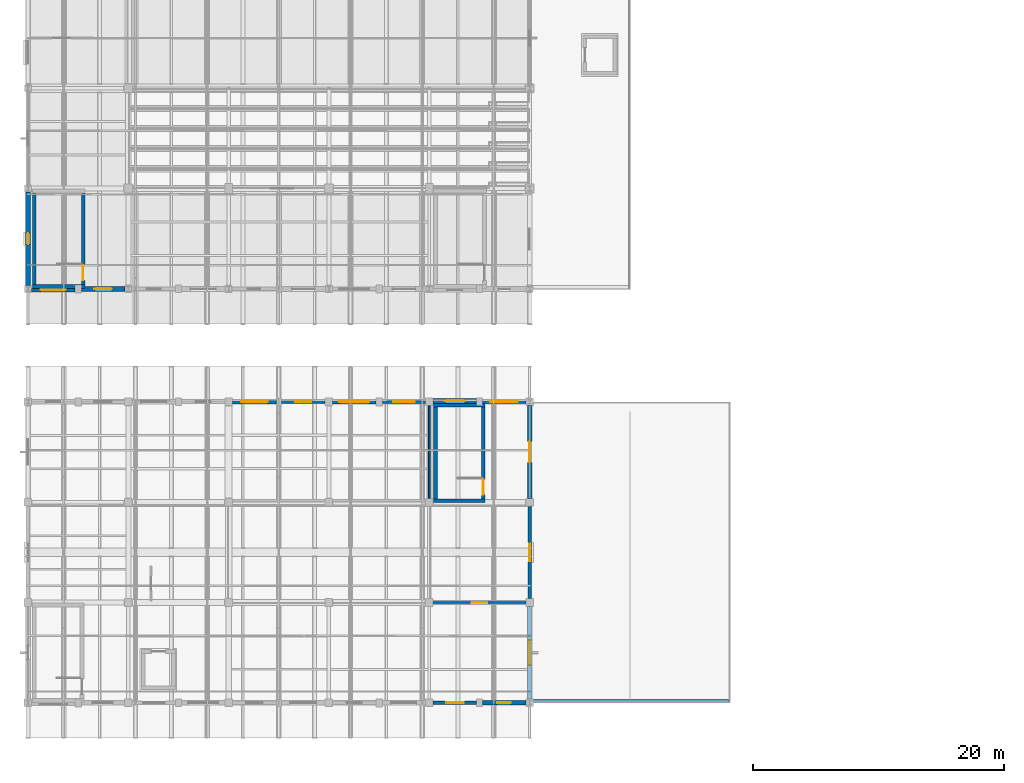
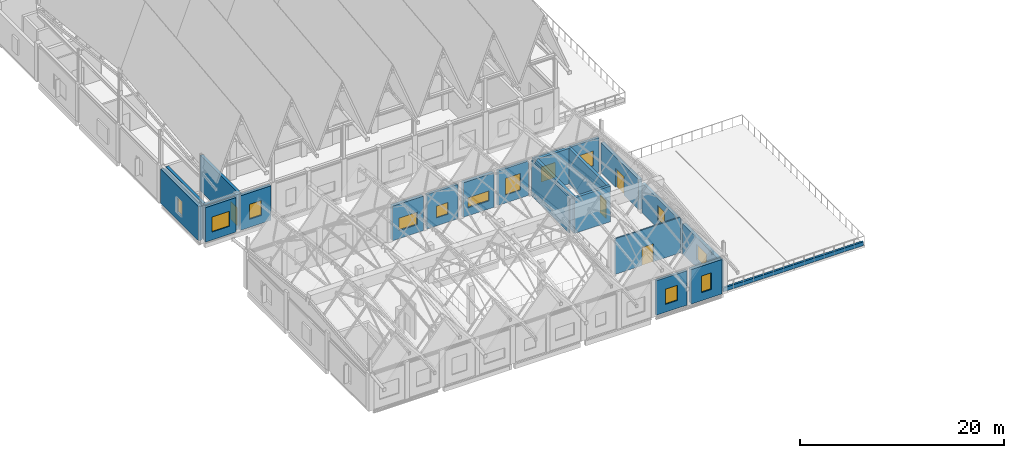
# One storey, part 41 of 77: 24 walls, 13 windows, 4 doors, 17 openings.
"""IFC4 building model written with IfcOpenShell, lengths in metres."""

from ifc_helpers import new_model, si_unit, direction, frame, frame_2d, origin, place, context, subcontext, project, spatial, rectangle, extrude, material, layer, layer_set, type_object, element, fill, save


model = new_model("IFC4")

# Units and contexts
model_context = context("Model", 3, precision=1e-05, world=origin(), true_north=direction((0.0, 1.0)))
body_context = subcontext(model_context, "Body", "Model", "MODEL_VIEW")
ifc_project = project(units=[si_unit("LENGTHUNIT", "METRE"), si_unit("AREAUNIT", "SQUARE_METRE"), si_unit("VOLUMEUNIT", "CUBIC_METRE"), si_unit("PLANEANGLEUNIT", "RADIAN"), si_unit("MASSUNIT", "GRAM", prefix="KILO")], contexts=[model_context])

# Site, building, storey
site_placement = place(None, origin())
site = spatial("IfcSite", under=ifc_project, at=site_placement, CompositionType="ELEMENT")
building_placement = place(site_placement, origin())
building = spatial("IfcBuilding", under=site, at=building_placement, Name="Luwemba Playhouse", CompositionType="ELEMENT")
storey_placement = place(building_placement, frame((0.0, 0.0, 9.300048828125)))
storey = spatial("IfcBuildingStorey", under=building, at=storey_placement, Name="L02", CompositionType="ELEMENT", Elevation=9.300048828125)

# Wall, opening, window
ifc_material_1 = material(Name="Clay facing brick obra vista masonry", Category="masonry")
ifc_layer_1 = layer(ifc_material_1, 0.3798828125)
ifc_layer_set_1 = layer_set([ifc_layer_1], Name="Clay facing brick obra vista masonry")
wall_type_1 = type_object("IfcWallType", Name="WAL-BRK-380", PredefinedType="SOLIDWALL", material=ifc_layer_set_1)
wall_1_placement = place(storey_placement, frame((4.0, 36.27490234375, 0.0), z_axis=(0.0, 0.0, 1.0), x_axis=(0.0, 1.0, 0.0)))
wall_1 = element("IfcWall", 1, at=wall_1_placement, inside=storey, type_object=wall_type_1, Name="L02 V1 exterior facade wall 0270", PredefinedType="SOLIDWALL", context=body_context, shape_type="SweptSolid", body=[
    extrude(rectangle(XDim=7.4501953125, YDim=0.3798828125, at=frame_2d((3.72509765625, 0.0))), origin(), (0.0, 0.0, 1.0), 4.119873046875),
])
opening_1_placement = place(wall_1_placement, frame((3.27490234375, 0.0, 0.949951171875)))
opening_1 = element("IfcOpeningElement", 2, at=opening_1_placement, cuts=wall_1, Name="Opening WN-18", PredefinedType="OPENING", context=body_context, shape_type="SweptSolid", body=[
    extrude(rectangle(XDim=0.89990234375, YDim=1.800048828125, at=frame_2d((0.449951171875, 0.89990234375))), frame((0.0, 0.199951171875, 0.0), z_axis=(0.0, -1.0, 0.0), x_axis=(1.0, 0.0, 0.0)), (0.0, 0.0, 1.0), 0.39990234375),
])
ifc_material_2 = material(Name="Solar-control double glazing in aluminium frame", Category="aluminium")
window_type_1 = type_object("IfcWindowType", Name="WIN-WN-18", PartitioningType="SINGLE_PANEL", PredefinedType="WINDOW", material=ifc_material_2)
window_1_placement = place(opening_1_placement, origin())
window_1 = element("IfcWindow", 3, at=window_1_placement, inside=storey, type_object=window_type_1, Name="L02 V1 scheduled window 0217", OverallHeight=1.800048828125, OverallWidth=0.89990234375, PartitioningType="SINGLE_PANEL", PredefinedType="WINDOW", context=body_context, shape_type="SweptSolid", body=[
    extrude(rectangle(XDim=0.89990234375, YDim=1.800048828125, at=frame_2d((0.449951171875, 0.89990234375))), frame((0.0, 0.030029296875, 0.0), z_axis=(0.0, -1.0, 0.0), x_axis=(1.0, 0.0, 0.0)), (0.0, 0.0, 1.0), 0.06005859375),
])
fill(opening_1, window_1)

wall_2_placement = place(storey_placement, frame((11.72509765625, 36.0, 0.0), z_axis=(0.0, 0.0, 1.0), x_axis=(-1.0, 0.0, 0.0)))
wall_2 = element("IfcWall", 4, at=wall_2_placement, inside=storey, type_object=wall_type_1, Name="L02 V1 exterior facade wall 0285", PredefinedType="SOLIDWALL", context=body_context, shape_type="SweptSolid", body=[
    extrude(rectangle(XDim=3.47509765625, YDim=0.3798828125, at=frame_2d((1.737548828125, 0.0))), origin(), (0.0, 0.0, 1.0), 4.119873046875),
])
opening_2_placement = place(wall_2_placement, frame((1.03759765625, 0.0, 0.949951171875)))
opening_2 = element("IfcOpeningElement", 5, at=opening_2_placement, cuts=wall_2, Name="Opening WN-02", PredefinedType="OPENING", context=body_context, shape_type="SweptSolid", body=[
    extrude(rectangle(XDim=1.39990234375, YDim=1.800048828125, at=frame_2d((0.699951171875, 0.89990234375))), frame((0.0, 0.199951171875, 0.0), z_axis=(0.0, -1.0, 0.0), x_axis=(1.0, 0.0, 0.0)), (0.0, 0.0, 1.0), 0.39990234375),
])
window_type_2 = type_object("IfcWindowType", Name="WIN-WN-02", PartitioningType="DOUBLE_PANEL_VERTICAL", PredefinedType="WINDOW", material=ifc_material_2)
window_2_placement = place(opening_2_placement, origin())
window_2 = element("IfcWindow", 6, at=window_2_placement, inside=storey, type_object=window_type_2, Name="L02 V1 scheduled window 0231", OverallHeight=1.800048828125, OverallWidth=1.39990234375, PartitioningType="DOUBLE_PANEL_VERTICAL", PredefinedType="WINDOW", context=body_context, shape_type="SweptSolid", body=[
    extrude(rectangle(XDim=1.39990234375, YDim=1.800048828125, at=frame_2d((0.699951171875, 0.89990234375))), frame((0.0, 0.030029296875, 0.0), z_axis=(0.0, -1.0, 0.0), x_axis=(1.0, 0.0, 0.0)), (0.0, 0.0, 1.0), 0.06005859375),
])
fill(opening_2, window_2)

wall_3_placement = place(storey_placement, frame((20.300048828125, 27.0, 0.0), z_axis=(0.0, 0.0, 1.0), x_axis=(1.0, 0.0, 0.0)))
wall_3 = element("IfcWall", 7, at=wall_3_placement, inside=storey, type_object=wall_type_1, Name="L02 V5W exterior facade wall 0358", PredefinedType="SOLIDWALL", context=body_context, shape_type="SweptSolid", body=[
    extrude(rectangle(XDim=3.5, YDim=0.3798828125, at=frame_2d((1.75, 0.0))), origin(), (0.0, 0.0, 1.0), 4.125),
])
opening_3_placement = place(wall_3_placement, frame((0.699951171875, 0.0, 0.949951171875)))
opening_3 = element("IfcOpeningElement", 8, at=opening_3_placement, cuts=wall_3, Name="Opening WN-11", PredefinedType="OPENING", context=body_context, shape_type="SweptSolid", body=[
    extrude(rectangle(XDim=2.10009765625, YDim=1.5, at=frame_2d((1.050048828125, 0.75))), frame((0.0, 0.199951171875, 0.0), z_axis=(0.0, -1.0, 0.0), x_axis=(1.0, 0.0, 0.0)), (0.0, 0.0, 1.0), 0.39990234375),
])
window_type_3 = type_object("IfcWindowType", Name="WIN-WN-11", PartitioningType="TRIPLE_PANEL_VERTICAL", PredefinedType="WINDOW", material=ifc_material_2)
window_3_placement = place(opening_3_placement, origin())
window_3 = element("IfcWindow", 9, at=window_3_placement, inside=storey, type_object=window_type_3, Name="L02 V5W scheduled window 0303", OverallHeight=1.5, OverallWidth=2.10009765625, PartitioningType="TRIPLE_PANEL_VERTICAL", PredefinedType="WINDOW", context=body_context, shape_type="SweptSolid", body=[
    extrude(rectangle(XDim=2.10009765625, YDim=1.5, at=frame_2d((1.050048828125, 0.75))), frame((0.0, 0.030029296875, 0.0), z_axis=(0.0, -1.0, 0.0), x_axis=(1.0, 0.0, 0.0)), (0.0, 0.0, 1.0), 0.06005859375),
])
fill(opening_3, window_3)

wall_4_placement = place(storey_placement, frame((28.300048828125, 27.0, 0.0), z_axis=(0.0, 0.0, 1.0), x_axis=(1.0, 0.0, 0.0)))
wall_4 = element("IfcWall", 10, at=wall_4_placement, inside=storey, type_object=wall_type_1, Name="L02 V5W exterior facade wall 0360", PredefinedType="SOLIDWALL", context=body_context, shape_type="SweptSolid", body=[
    extrude(rectangle(XDim=3.449951171875, YDim=0.3798828125, at=frame_2d((1.72509765625, 0.0))), origin(), (0.0, 0.0, 1.0), 4.125),
])
opening_4_placement = place(wall_4_placement, frame((0.52490234375, 0.0, 0.949951171875)))
opening_4 = element("IfcOpeningElement", 11, at=opening_4_placement, cuts=wall_4, Name="Opening WN-17", PredefinedType="OPENING", context=body_context, shape_type="SweptSolid", body=[
    extrude(rectangle(XDim=2.39990234375, YDim=1.199951171875, at=frame_2d((1.199951171875, 0.60009765625))), frame((0.0, 0.199951171875, 0.0), z_axis=(0.0, -1.0, 0.0), x_axis=(1.0, 0.0, 0.0)), (0.0, 0.0, 1.0), 0.39990234375),
])
window_type_4 = type_object("IfcWindowType", Name="WIN-WN-17", PartitioningType="TRIPLE_PANEL_HORIZONTAL", PredefinedType="WINDOW", material=ifc_material_2)
window_4_placement = place(opening_4_placement, origin())
window_4 = element("IfcWindow", 12, at=window_4_placement, inside=storey, type_object=window_type_4, Name="L02 V5W scheduled window 0305", OverallHeight=1.199951171875, OverallWidth=2.39990234375, PartitioningType="TRIPLE_PANEL_HORIZONTAL", PredefinedType="WINDOW", context=body_context, shape_type="SweptSolid", body=[
    extrude(rectangle(XDim=2.39990234375, YDim=1.199951171875, at=frame_2d((1.199951171875, 0.60009765625))), frame((0.0, 0.030029296875, 0.0), z_axis=(0.0, -1.0, 0.0), x_axis=(1.0, 0.0, 0.0)), (0.0, 0.0, 1.0), 0.06005859375),
])
fill(opening_4, window_4)

wall_5_placement = place(storey_placement, frame((36.300048828125, 27.06005859375, 0.0), z_axis=(0.0, 0.0, 1.0), x_axis=(1.0, 0.0, 0.0)))
wall_5 = element("IfcWall", 13, at=wall_5_placement, inside=storey, type_object=wall_type_1, Name="L02 V5W exterior facade wall 0362", PredefinedType="SOLIDWALL", context=body_context, shape_type="SweptSolid", body=[
    extrude(rectangle(XDim=3.474853515625, YDim=0.3798828125, at=frame_2d((1.7373046875, 0.0))), origin(), (0.0, 0.0, 1.0), 4.125),
])
opening_5_placement = place(wall_5_placement, frame((0.9375, 0.0, 0.949951171875)))
opening_5 = element("IfcOpeningElement", 14, at=opening_5_placement, cuts=wall_5, Name="Opening WN-03", PredefinedType="OPENING", context=body_context, shape_type="SweptSolid", body=[
    extrude(rectangle(XDim=1.60009765625, YDim=1.800048828125, at=frame_2d((0.800048828125, 0.89990234375))), frame((0.0, 0.199951171875, 0.0), z_axis=(0.0, -1.0, 0.0), x_axis=(1.0, 0.0, 0.0)), (0.0, 0.0, 1.0), 0.39990234375),
])
window_type_5 = type_object("IfcWindowType", Name="WIN-WN-03", PartitioningType="DOUBLE_PANEL_VERTICAL", PredefinedType="WINDOW", material=ifc_material_2)
window_5_placement = place(opening_5_placement, origin())
window_5 = element("IfcWindow", 15, at=window_5_placement, inside=storey, type_object=window_type_5, Name="L02 V5W scheduled window 0307", OverallHeight=1.800048828125, OverallWidth=1.60009765625, PartitioningType="DOUBLE_PANEL_VERTICAL", PredefinedType="WINDOW", context=body_context, shape_type="SweptSolid", body=[
    extrude(rectangle(XDim=1.60009765625, YDim=1.800048828125, at=frame_2d((0.800048828125, 0.89990234375))), frame((0.0, 0.030029296875, 0.0), z_axis=(0.0, -1.0, 0.0), x_axis=(1.0, 0.0, 0.0)), (0.0, 0.0, 1.0), 0.06005859375),
])
fill(opening_5, window_5)

# Wall, opening, door
wall_6_placement = place(storey_placement, frame((44.0, 26.699951171875, 0.0), z_axis=(0.0, 0.0, 1.0), x_axis=(0.0, -1.0, 0.0)))
wall_6 = element("IfcWall", 16, at=wall_6_placement, inside=storey, type_object=wall_type_1, Name="L02 V5W exterior facade wall 0364", PredefinedType="SOLIDWALL", context=body_context, shape_type="SweptSolid", body=[
    extrude(rectangle(XDim=7.39990234375, YDim=0.3798828125, at=frame_2d((3.699951171875, 0.0))), origin(), (0.0, 0.0, 1.0), 3.5849609375),
])
opening_6_placement = place(wall_6_placement, frame((2.875, 0.0, 0.0)))
opening_6 = element("IfcOpeningElement", 17, at=opening_6_placement, cuts=wall_6, Name="Opening D-TR1", PredefinedType="OPENING", context=body_context, shape_type="SweptSolid", body=[
    extrude(rectangle(XDim=1.64990234375, YDim=2.25, at=frame_2d((0.824951171875, 1.125))), frame((0.0, 0.199951171875, 0.0), z_axis=(0.0, -1.0, 0.0), x_axis=(1.0, 0.0, 0.0)), (0.0, 0.0, 1.0), 0.39990234375),
])
ifc_material_3 = material(Name="Architectural bronze-anodised aluminium and glazed leaf", Category="aluminium")
door_type_1 = type_object("IfcDoorType", Name="DR-TER-165", OperationType="NOTDEFINED", PredefinedType="DOOR", material=ifc_material_3)
door_1_placement = place(opening_6_placement, origin())
door_1 = element("IfcDoor", 18, at=door_1_placement, inside=storey, type_object=door_type_1, Name="L02 TER-V5W-L02 terrace entrance door", OperationType="DOUBLE_DOOR_SINGLE_SWING", OverallHeight=2.25, OverallWidth=1.64990234375, PredefinedType="DOOR", context=body_context, shape_type="SweptSolid", body=[
    extrude(rectangle(XDim=1.64990234375, YDim=2.25, at=frame_2d((0.824951171875, 1.125))), frame((0.0, 0.02490234375, 0.0), z_axis=(0.0, -1.0, 0.0), x_axis=(1.0, 0.0, 0.0)), (0.0, 0.0, 1.0), 0.050048828125),
])
fill(opening_6, door_1)

# Wall, opening, window
wall_7_placement = place(storey_placement, frame((44.0, 10.699951171875, 0.0), z_axis=(0.0, 0.0, 1.0), x_axis=(0.0, -1.0, 0.0)))
wall_7 = element("IfcWall", 19, at=wall_7_placement, inside=storey, type_object=wall_type_1, Name="L02 V5W exterior facade wall 0366", PredefinedType="SOLIDWALL", context=body_context, shape_type="SweptSolid", body=[
    extrude(rectangle(XDim=7.39990234375, YDim=0.3798828125, at=frame_2d((3.699951171875, 0.0))), origin(), (0.0, 0.0, 1.0), 3.5849609375),
])
opening_7_placement = place(wall_7_placement, frame((2.699951171875, 0.0, 0.949951171875)))
opening_7 = element("IfcOpeningElement", 20, at=opening_7_placement, cuts=wall_7, Name="Opening WN-05", PredefinedType="OPENING", context=body_context, shape_type="SweptSolid", body=[
    extrude(rectangle(XDim=2.0, YDim=1.800048828125, at=frame_2d((1.0, 0.89990234375))), frame((0.0, 0.199951171875, 0.0), z_axis=(0.0, -1.0, 0.0), x_axis=(1.0, 0.0, 0.0)), (0.0, 0.0, 1.0), 0.39990234375),
])
window_type_6 = type_object("IfcWindowType", Name="WIN-WN-05", PartitioningType="TRIPLE_PANEL_VERTICAL", PredefinedType="WINDOW", material=ifc_material_2)
window_6_placement = place(opening_7_placement, origin())
window_6 = element("IfcWindow", 21, at=window_6_placement, inside=storey, type_object=window_type_6, Name="L02 V5W scheduled window 0310", OverallHeight=1.800048828125, OverallWidth=2.0, PartitioningType="TRIPLE_PANEL_VERTICAL", PredefinedType="WINDOW", context=body_context, shape_type="SweptSolid", body=[
    extrude(rectangle(XDim=2.0, YDim=1.800048828125, at=frame_2d((1.0, 0.89990234375))), frame((0.0, 0.030029296875, 0.0), z_axis=(0.0, -1.0, 0.0), x_axis=(1.0, 0.0, 0.0)), (0.0, 0.0, 1.0), 0.06005859375),
])
fill(opening_7, window_6)

wall_8_placement = place(storey_placement, frame((43.699951171875, 3.0, 0.0), z_axis=(0.0, 0.0, 1.0), x_axis=(-1.0, 0.0, 0.0)))
wall_8 = element("IfcWall", 22, at=wall_8_placement, inside=storey, type_object=wall_type_1, Name="L02 V5W exterior facade wall 0367", PredefinedType="SOLIDWALL", context=body_context, shape_type="SweptSolid", body=[
    extrude(rectangle(XDim=3.474853515625, YDim=0.3798828125, at=frame_2d((1.7373046875, 0.0))), origin(), (0.0, 0.0, 1.0), 4.125),
])
opening_8_placement = place(wall_8_placement, frame((1.1875, 0.0, 0.949951171875)))
opening_8 = element("IfcOpeningElement", 23, at=opening_8_placement, cuts=wall_8, Name="Opening WN-19", PredefinedType="OPENING", context=body_context, shape_type="SweptSolid", body=[
    extrude(rectangle(XDim=1.10009765625, YDim=2.0, at=frame_2d((0.550048828125, 1.0))), frame((0.0, 0.199951171875, 0.0), z_axis=(0.0, -1.0, 0.0), x_axis=(1.0, 0.0, 0.0)), (0.0, 0.0, 1.0), 0.39990234375),
])
window_type_7 = type_object("IfcWindowType", Name="WIN-WN-19", PartitioningType="SINGLE_PANEL", PredefinedType="WINDOW", material=ifc_material_2)
window_7_placement = place(opening_8_placement, origin())
window_7 = element("IfcWindow", 24, at=window_7_placement, inside=storey, type_object=window_type_7, Name="L02 V5W scheduled window 0311", OverallHeight=2.0, OverallWidth=1.10009765625, PartitioningType="SINGLE_PANEL", PredefinedType="WINDOW", context=body_context, shape_type="SweptSolid", body=[
    extrude(rectangle(XDim=1.10009765625, YDim=2.0, at=frame_2d((0.550048828125, 1.0))), frame((0.0, 0.030029296875, 0.0), z_axis=(0.0, -1.0, 0.0), x_axis=(1.0, 0.0, 0.0)), (0.0, 0.0, 1.0), 0.06005859375),
])
fill(opening_8, window_7)

# Walls
ifc_material_4 = material(Name="Concrete C40/50", Category="concrete")
ifc_layer_2 = layer(ifc_material_4, 0.300048828125)
ifc_layer_set_2 = layer_set([ifc_layer_2], Name="Concrete C40/50")
wall_type_2 = type_object("IfcWallType", Name="WAL-CORE-300", PredefinedType="SHEAR", material=ifc_layer_set_2)
wall_9_placement = place(storey_placement, frame((4.35009765625, 36.18994140625, 0.0), z_axis=(0.0, 0.0, 1.0), x_axis=(1.0, 0.0, 0.0)))
element("IfcWall", 25, at=wall_9_placement, inside=storey, type_object=wall_type_2, Name="L02 ST-01 stair core wall S", PredefinedType="SHEAR", context=body_context, shape_type="SweptSolid", body=[
    extrude(rectangle(XDim=4.199951171875, YDim=0.300048828125, at=frame_2d((2.10009765625, 0.0))), origin(), (0.0, 0.0, 1.0), 4.25),
])
wall_10_placement = place(storey_placement, frame((4.5, 36.340087890625, 0.0), z_axis=(0.0, 0.0, 1.0), x_axis=(0.0, 1.0, 0.0)))
element("IfcWall", 26, at=wall_10_placement, inside=storey, type_object=wall_type_2, Name="L02 ST-01 stair core wall W", PredefinedType="SHEAR", context=body_context, shape_type="SweptSolid", body=[
    extrude(rectangle(XDim=7.31982421875, YDim=0.300048828125, at=frame_2d((3.659912109375, 0.0))), origin(), (0.0, 0.0, 1.0), 4.25),
])

# Wall, opening, door
wall_11_placement = place(storey_placement, frame((8.39990234375, 36.340087890625, 0.0), z_axis=(0.0, 0.0, 1.0), x_axis=(0.0, 1.0, 0.0)))
wall_11 = element("IfcWall", 27, at=wall_11_placement, inside=storey, type_object=wall_type_2, Name="L02 ST-01 stair core wall E", PredefinedType="SHEAR", context=body_context, shape_type="SweptSolid", body=[
    extrude(rectangle(XDim=7.31982421875, YDim=0.300048828125, at=frame_2d((3.659912109375, 0.0))), origin(), (0.0, 0.0, 1.0), 4.25),
])
opening_9_placement = place(wall_11_placement, frame((0.35009765625, 0.0, 0.0)))
opening_9 = element("IfcOpeningElement", 28, at=opening_9_placement, cuts=wall_11, Name="Opening D-STAIR3", PredefinedType="OPENING", context=body_context, shape_type="SweptSolid", body=[
    extrude(rectangle(XDim=1.199951171875, YDim=2.14990234375, at=frame_2d((0.60009765625, 1.074951171875))), frame((0.0, 0.159912109375, 0.0), z_axis=(0.0, -1.0, 0.0), x_axis=(1.0, 0.0, 0.0)), (0.0, 0.0, 1.0), 0.320068359375),
])
ifc_material_5 = material(Name="Hardwood acoustic fire door leaf", Category="wood")
door_type_2 = type_object("IfcDoorType", Name="DR-STAIR-120", OperationType="NOTDEFINED", PredefinedType="DOOR", material=ifc_material_5)
door_2_placement = place(opening_9_placement, origin())
door_2 = element("IfcDoor", 29, at=door_2_placement, inside=storey, type_object=door_type_2, Name="L02 ST-01 protected stair entry door", OperationType="SINGLE_SWING_LEFT", OverallHeight=2.14990234375, OverallWidth=1.199951171875, PredefinedType="DOOR", context=body_context, shape_type="SweptSolid", body=[
    extrude(rectangle(XDim=1.199951171875, YDim=2.14990234375, at=frame_2d((0.60009765625, 1.074951171875))), frame((0.0, 0.02490234375, 0.0), z_axis=(0.0, -1.0, 0.0), x_axis=(1.0, 0.0, 0.0)), (0.0, 0.0, 1.0), 0.050048828125),
])
fill(opening_9, door_2)

# Walls
for number, where, z_axis, x_axis, name in (
    (30, (36.35009765625, 19.110107421875, 0.0), (0.0, 0.0, 1.0), (1.0, 0.0, 0.0), "L02 ST-13 stair core wall S"),
    (31, (40.449951171875, 26.72998046875, 0.0), (0.0, 0.0, 1.0), (-1.0, 0.0, 0.0), "L02 ST-13 stair core wall N"),
):
    element("IfcWall", number, at=place(storey_placement, frame(where, z_axis=z_axis, x_axis=x_axis)), inside=storey, type_object=wall_type_2, Name=name, PredefinedType="SHEAR", context=body_context, shape_type="SweptSolid", body=[
        extrude(rectangle(XDim=4.099853515625, YDim=0.300048828125, at=frame_2d((2.0498046875, 0.0))), origin(), (0.0, 0.0, 1.0), 4.25),
    ])
wall_12_placement = place(storey_placement, frame((36.5, 19.260009765625, 0.0), z_axis=(0.0, 0.0, 1.0), x_axis=(0.0, 1.0, 0.0)))
element("IfcWall", 32, at=wall_12_placement, inside=storey, type_object=wall_type_2, Name="L02 ST-13 stair core wall W", PredefinedType="SHEAR", context=body_context, shape_type="SweptSolid", body=[
    extrude(rectangle(XDim=7.320068359375, YDim=0.300048828125, at=frame_2d((3.66015625, 0.0))), origin(), (0.0, 0.0, 1.0), 4.25),
])

# Wall, opening, door
wall_13_placement = place(storey_placement, frame((40.300048828125, 19.260009765625, 0.0), z_axis=(0.0, 0.0, 1.0), x_axis=(0.0, 1.0, 0.0)))
wall_13 = element("IfcWall", 33, at=wall_13_placement, inside=storey, type_object=wall_type_2, Name="L02 ST-13 stair core wall E", PredefinedType="SHEAR", context=body_context, shape_type="SweptSolid", body=[
    extrude(rectangle(XDim=7.320068359375, YDim=0.300048828125, at=frame_2d((3.66015625, 0.0))), origin(), (0.0, 0.0, 1.0), 4.25),
])
opening_10_placement = place(wall_13_placement, frame((0.35009765625, 0.0, 0.0)))
opening_10 = element("IfcOpeningElement", 34, at=opening_10_placement, cuts=wall_13, Name="Opening D-STAIR3", PredefinedType="OPENING", context=body_context, shape_type="SweptSolid", body=[
    extrude(rectangle(XDim=1.199951171875, YDim=2.14990234375, at=frame_2d((0.60009765625, 1.074951171875))), frame((0.0, 0.159912109375, 0.0), z_axis=(0.0, -1.0, 0.0), x_axis=(1.0, 0.0, 0.0)), (0.0, 0.0, 1.0), 0.320068359375),
])
door_3_placement = place(opening_10_placement, origin())
door_3 = element("IfcDoor", 35, at=door_3_placement, inside=storey, type_object=door_type_2, Name="L02 ST-13 protected stair entry door", OperationType="SINGLE_SWING_LEFT", OverallHeight=2.14990234375, OverallWidth=1.199951171875, PredefinedType="DOOR", context=body_context, shape_type="SweptSolid", body=[
    extrude(rectangle(XDim=1.199951171875, YDim=2.14990234375, at=frame_2d((0.60009765625, 1.074951171875))), frame((0.0, 0.02490234375, 0.0), z_axis=(0.0, -1.0, 0.0), x_axis=(1.0, 0.0, 0.0)), (0.0, 0.0, 1.0), 0.050048828125),
])
fill(opening_10, door_3)

ifc_material_6 = material(Name="Acoustic gypsum stud partition", Category="gypsum")
ifc_layer_3 = layer(ifc_material_6, 0.14990234375)
ifc_layer_set_3 = layer_set([ifc_layer_3], Name="Acoustic gypsum stud partition")
wall_type_3 = type_object("IfcWallType", Name="WAL-INT-150", PredefinedType="PARTITIONING", material=ifc_layer_set_3)
wall_14_placement = place(storey_placement, frame((36.320068359375, 11.0, 0.0), z_axis=(0.0, 0.0, 1.0), x_axis=(1.0, 0.0, 0.0)))
wall_14 = element("IfcWall", 36, at=wall_14_placement, inside=storey, type_object=wall_type_3, Name="L02 V5W interior partition 0186", PredefinedType="PARTITIONING", context=body_context, shape_type="SweptSolid", body=[
    extrude(rectangle(XDim=7.35986328125, YDim=0.14990234375, at=frame_2d((3.679931640625, 0.0))), origin(), (0.0, 0.0, 1.0), 4.25),
])
opening_11_placement = place(wall_14_placement, frame((3.054931640625, 0.0, 0.0)))
opening_11 = element("IfcOpeningElement", 37, at=opening_11_placement, cuts=wall_14, Name="Opening D-IN1", PredefinedType="OPENING", context=body_context, shape_type="SweptSolid", body=[
    extrude(rectangle(XDim=1.25, YDim=2.14990234375, at=frame_2d((0.625, 1.074951171875))), frame((0.0, 0.0849609375, 0.0), z_axis=(0.0, -1.0, 0.0), x_axis=(1.0, 0.0, 0.0)), (0.0, 0.0, 1.0), 0.169921875),
])
ifc_material_7 = material(Name="Solid hardwood interior door", Category="wood")
door_type_3 = type_object("IfcDoorType", Name="DR-INT-125", OperationType="NOTDEFINED", PredefinedType="DOOR", material=ifc_material_7)
door_4_placement = place(opening_11_placement, origin())
door_4 = element("IfcDoor", 38, at=door_4_placement, inside=storey, type_object=door_type_3, Name="L02 Upper Belvedere Civic Reception Salon to Belvedere Terrace Lounge Bar door", OperationType="SINGLE_SWING_LEFT", OverallHeight=2.14990234375, OverallWidth=1.25, PredefinedType="DOOR", context=body_context, shape_type="SweptSolid", body=[
    extrude(rectangle(XDim=1.25, YDim=2.14990234375, at=frame_2d((0.625, 1.074951171875))), frame((0.0, 0.02490234375, 0.0), z_axis=(0.0, -1.0, 0.0), x_axis=(1.0, 0.0, 0.0)), (0.0, 0.0, 1.0), 0.050048828125),
])
fill(opening_11, door_4)

# Walls
wall_15_placement = place(storey_placement, frame((36.0, 19.320068359375, 0.0), z_axis=(0.0, 0.0, 1.0), x_axis=(0.0, 1.0, 0.0)))
element("IfcWall", 39, at=wall_15_placement, inside=storey, type_object=wall_type_3, Name="L02 V5W interior partition 0187", PredefinedType="PARTITIONING", context=body_context, shape_type="SweptSolid", body=[
    extrude(rectangle(XDim=7.35986328125, YDim=0.14990234375, at=frame_2d((3.679931640625, 0.0))), origin(), (0.0, 0.0, 1.0), 4.25),
])
ifc_material_8 = material(Name="Trencadis ceramic mosaic masonry", Category="masonry")
ifc_layer_4 = layer(ifc_material_8, 0.22509765625)
ifc_layer_set_4 = layer_set([ifc_layer_4], Name="Trencadis ceramic mosaic masonry")
wall_type_4 = type_object("IfcWallType", Name="WAL-PAR-225", PredefinedType="PARAPET", material=ifc_layer_set_4)
wall_16_placement = place(storey_placement, frame((44.0, 3.14990234375, 0.0), z_axis=(0.0, 0.0, 1.0), x_axis=(1.0, 0.0, 0.0)))
element("IfcWall", 40, at=wall_16_placement, inside=storey, type_object=wall_type_4, Name="Belvedere terrace south trencadis coping", PredefinedType="PARAPET", context=body_context, shape_type="SweptSolid", body=[
    extrude(rectangle(XDim=15.85009765625, YDim=0.22509765625, at=frame_2d((7.925048828125, 0.0))), origin(), (0.0, 0.0, 1.0), 0.449951171875),
])

# Wall, opening, window
ifc_material_9 = material(Name="Structural timber GL24h infill", Category="wood")
ifc_layer_5 = layer(ifc_material_9, 0.280029296875)
ifc_layer_set_5 = layer_set([ifc_layer_5], Name="Structural timber GL24h infill")
wall_type_5 = type_object("IfcWallType", Name="WAL-TIM-280", PredefinedType="SOLIDWALL", material=ifc_layer_set_5)
wall_17_placement = place(storey_placement, frame((7.75, 35.909912109375, 0.0), z_axis=(0.0, 0.0, 1.0), x_axis=(-1.0, 0.0, 0.0)))
wall_17 = element("IfcWall", 41, at=wall_17_placement, inside=storey, type_object=wall_type_5, Name="L02 V1 exterior facade wall 0286", PredefinedType="SOLIDWALL", context=body_context, shape_type="SweptSolid", body=[
    extrude(rectangle(XDim=3.47509765625, YDim=0.280029296875, at=frame_2d((1.737548828125, 0.0))), origin(), (0.0, 0.0, 1.0), 4.119873046875),
])
opening_12_placement = place(wall_17_placement, frame((0.737548828125, 0.0, 0.949951171875)))
opening_12 = element("IfcOpeningElement", 42, at=opening_12_placement, cuts=wall_17, Name="Opening WN-05", PredefinedType="OPENING", context=body_context, shape_type="SweptSolid", body=[
    extrude(rectangle(XDim=2.0, YDim=1.800048828125, at=frame_2d((1.0, 0.89990234375))), frame((0.0, 0.14990234375, 0.0), z_axis=(0.0, -1.0, 0.0), x_axis=(1.0, 0.0, 0.0)), (0.0, 0.0, 1.0), 0.300048828125),
])
window_8_placement = place(opening_12_placement, origin())
window_8 = element("IfcWindow", 43, at=window_8_placement, inside=storey, type_object=window_type_6, Name="L02 V1 scheduled window 0232", OverallHeight=1.800048828125, OverallWidth=2.0, PartitioningType="TRIPLE_PANEL_VERTICAL", PredefinedType="WINDOW", context=body_context, shape_type="SweptSolid", body=[
    extrude(rectangle(XDim=2.0, YDim=1.800048828125, at=frame_2d((1.0, 0.89990234375))), frame((0.0, 0.030029296875, 0.0), z_axis=(0.0, -1.0, 0.0), x_axis=(1.0, 0.0, 0.0)), (0.0, 0.0, 1.0), 0.06005859375),
])
fill(opening_12, window_8)

wall_18_placement = place(storey_placement, frame((24.199951171875, 27.0, 0.0), z_axis=(0.0, 0.0, 1.0), x_axis=(1.0, 0.0, 0.0)))
wall_18 = element("IfcWall", 44, at=wall_18_placement, inside=storey, type_object=wall_type_5, Name="L02 V5W exterior facade wall 0359", PredefinedType="SOLIDWALL", context=body_context, shape_type="SweptSolid", body=[
    extrude(rectangle(XDim=3.5, YDim=0.280029296875, at=frame_2d((1.75, 0.0))), origin(), (0.0, 0.0, 1.0), 4.125),
])
opening_13_placement = place(wall_18_placement, frame((1.10009765625, 0.0, 0.949951171875)))
opening_13 = element("IfcOpeningElement", 45, at=opening_13_placement, cuts=wall_18, Name="Opening WN-14", PredefinedType="OPENING", context=body_context, shape_type="SweptSolid", body=[
    extrude(rectangle(XDim=1.300048828125, YDim=1.39990234375, at=frame_2d((0.64990234375, 0.699951171875))), frame((0.0, 0.14990234375, 0.0), z_axis=(0.0, -1.0, 0.0), x_axis=(1.0, 0.0, 0.0)), (0.0, 0.0, 1.0), 0.300048828125),
])
window_type_8 = type_object("IfcWindowType", Name="WIN-WN-14", PartitioningType="SINGLE_PANEL", PredefinedType="WINDOW", material=ifc_material_2)
window_9_placement = place(opening_13_placement, origin())
window_9 = element("IfcWindow", 46, at=window_9_placement, inside=storey, type_object=window_type_8, Name="L02 V5W scheduled window 0304", OverallHeight=1.39990234375, OverallWidth=1.300048828125, PartitioningType="SINGLE_PANEL", PredefinedType="WINDOW", context=body_context, shape_type="SweptSolid", body=[
    extrude(rectangle(XDim=1.300048828125, YDim=1.39990234375, at=frame_2d((0.64990234375, 0.699951171875))), frame((0.0, 0.030029296875, 0.0), z_axis=(0.0, -1.0, 0.0), x_axis=(1.0, 0.0, 0.0)), (0.0, 0.0, 1.0), 0.06005859375),
])
fill(opening_13, window_9)

wall_19_placement = place(storey_placement, frame((32.25, 27.0, 0.0), z_axis=(0.0, 0.0, 1.0), x_axis=(1.0, 0.0, 0.0)))
wall_19 = element("IfcWall", 47, at=wall_19_placement, inside=storey, type_object=wall_type_5, Name="L02 V5W exterior facade wall 0361", PredefinedType="SOLIDWALL", context=body_context, shape_type="SweptSolid", body=[
    extrude(rectangle(XDim=3.449951171875, YDim=0.280029296875, at=frame_2d((1.72509765625, 0.0))), origin(), (0.0, 0.0, 1.0), 4.125),
])
opening_14_placement = place(wall_19_placement, frame((0.875, 0.0, 0.949951171875)))
opening_14 = element("IfcOpeningElement", 48, at=opening_14_placement, cuts=wall_19, Name="Opening WN-20", PredefinedType="OPENING", context=body_context, shape_type="SweptSolid", body=[
    extrude(rectangle(XDim=1.699951171875, YDim=2.0, at=frame_2d((0.85009765625, 1.0))), frame((0.0, 0.14990234375, 0.0), z_axis=(0.0, -1.0, 0.0), x_axis=(1.0, 0.0, 0.0)), (0.0, 0.0, 1.0), 0.300048828125),
])
window_type_9 = type_object("IfcWindowType", Name="WIN-WN-20", PartitioningType="DOUBLE_PANEL_VERTICAL", PredefinedType="WINDOW", material=ifc_material_2)
window_10_placement = place(opening_14_placement, origin())
window_10 = element("IfcWindow", 49, at=window_10_placement, inside=storey, type_object=window_type_9, Name="L02 V5W scheduled window 0306", OverallHeight=2.0, OverallWidth=1.699951171875, PartitioningType="DOUBLE_PANEL_VERTICAL", PredefinedType="WINDOW", context=body_context, shape_type="SweptSolid", body=[
    extrude(rectangle(XDim=1.699951171875, YDim=2.0, at=frame_2d((0.85009765625, 1.0))), frame((0.0, 0.030029296875, 0.0), z_axis=(0.0, -1.0, 0.0), x_axis=(1.0, 0.0, 0.0)), (0.0, 0.0, 1.0), 0.06005859375),
])
fill(opening_14, window_10)

wall_20_placement = place(storey_placement, frame((40.22509765625, 27.0, 0.0), z_axis=(0.0, 0.0, 1.0), x_axis=(1.0, 0.0, 0.0)))
wall_20 = element("IfcWall", 50, at=wall_20_placement, inside=storey, type_object=wall_type_5, Name="L02 V5W exterior facade wall 0363", PredefinedType="SOLIDWALL", context=body_context, shape_type="SweptSolid", body=[
    extrude(rectangle(XDim=3.474853515625, YDim=0.280029296875, at=frame_2d((1.7373046875, 0.0))), origin(), (0.0, 0.0, 1.0), 4.125),
])
opening_15_placement = place(wall_20_placement, frame((0.637451171875, 0.0, 0.949951171875)))
opening_15 = element("IfcOpeningElement", 51, at=opening_15_placement, cuts=wall_20, Name="Opening WN-06", PredefinedType="OPENING", context=body_context, shape_type="SweptSolid", body=[
    extrude(rectangle(XDim=2.199951171875, YDim=1.800048828125, at=frame_2d((1.10009765625, 0.89990234375))), frame((0.0, 0.14990234375, 0.0), z_axis=(0.0, -1.0, 0.0), x_axis=(1.0, 0.0, 0.0)), (0.0, 0.0, 1.0), 0.300048828125),
])
window_type_10 = type_object("IfcWindowType", Name="WIN-WN-06", PartitioningType="TRIPLE_PANEL_VERTICAL", PredefinedType="WINDOW", material=ifc_material_2)
window_11_placement = place(opening_15_placement, origin())
window_11 = element("IfcWindow", 52, at=window_11_placement, inside=storey, type_object=window_type_10, Name="L02 V5W scheduled window 0308", OverallHeight=1.800048828125, OverallWidth=2.199951171875, PartitioningType="TRIPLE_PANEL_VERTICAL", PredefinedType="WINDOW", context=body_context, shape_type="SweptSolid", body=[
    extrude(rectangle(XDim=2.199951171875, YDim=1.800048828125, at=frame_2d((1.10009765625, 0.89990234375))), frame((0.0, 0.030029296875, 0.0), z_axis=(0.0, -1.0, 0.0), x_axis=(1.0, 0.0, 0.0)), (0.0, 0.0, 1.0), 0.06005859375),
])
fill(opening_15, window_11)

wall_21_placement = place(storey_placement, frame((44.0, 18.699951171875, 0.0), z_axis=(0.0, 0.0, 1.0), x_axis=(0.0, -1.0, 0.0)))
wall_21 = element("IfcWall", 53, at=wall_21_placement, inside=storey, type_object=wall_type_5, Name="L02 V5W exterior facade wall 0365", PredefinedType="SOLIDWALL", context=body_context, shape_type="SweptSolid", body=[
    extrude(rectangle(XDim=7.39990234375, YDim=0.280029296875, at=frame_2d((3.699951171875, 0.0))), origin(), (0.0, 0.0, 1.0), 3.5849609375),
])
opening_16_placement = place(wall_21_placement, frame((3.0, 0.0, 0.949951171875)))
opening_16 = element("IfcOpeningElement", 54, at=opening_16_placement, cuts=wall_21, Name="Opening WN-02", PredefinedType="OPENING", context=body_context, shape_type="SweptSolid", body=[
    extrude(rectangle(XDim=1.39990234375, YDim=1.800048828125, at=frame_2d((0.699951171875, 0.89990234375))), frame((0.0, 0.14990234375, 0.0), z_axis=(0.0, -1.0, 0.0), x_axis=(1.0, 0.0, 0.0)), (0.0, 0.0, 1.0), 0.300048828125),
])
window_12_placement = place(opening_16_placement, origin())
window_12 = element("IfcWindow", 55, at=window_12_placement, inside=storey, type_object=window_type_2, Name="L02 V5W scheduled window 0309", OverallHeight=1.800048828125, OverallWidth=1.39990234375, PartitioningType="DOUBLE_PANEL_VERTICAL", PredefinedType="WINDOW", context=body_context, shape_type="SweptSolid", body=[
    extrude(rectangle(XDim=1.39990234375, YDim=1.800048828125, at=frame_2d((0.699951171875, 0.89990234375))), frame((0.0, 0.030029296875, 0.0), z_axis=(0.0, -1.0, 0.0), x_axis=(1.0, 0.0, 0.0)), (0.0, 0.0, 1.0), 0.06005859375),
])
fill(opening_16, window_12)

wall_22_placement = place(storey_placement, frame((39.77490234375, 3.0, 0.0), z_axis=(0.0, 0.0, 1.0), x_axis=(-1.0, 0.0, 0.0)))
wall_22 = element("IfcWall", 56, at=wall_22_placement, inside=storey, type_object=wall_type_5, Name="L02 V5W exterior facade wall 0368", PredefinedType="SOLIDWALL", context=body_context, shape_type="SweptSolid", body=[
    extrude(rectangle(XDim=3.474853515625, YDim=0.280029296875, at=frame_2d((1.7373046875, 0.0))), origin(), (0.0, 0.0, 1.0), 4.125),
])
opening_17_placement = place(wall_22_placement, frame((1.03759765625, 0.0, 0.949951171875)))
opening_17 = element("IfcOpeningElement", 57, at=opening_17_placement, cuts=wall_22, Name="Opening WN-02", PredefinedType="OPENING", context=body_context, shape_type="SweptSolid", body=[
    extrude(rectangle(XDim=1.39990234375, YDim=1.800048828125, at=frame_2d((0.699951171875, 0.89990234375))), frame((0.0, 0.14990234375, 0.0), z_axis=(0.0, -1.0, 0.0), x_axis=(1.0, 0.0, 0.0)), (0.0, 0.0, 1.0), 0.300048828125),
])
window_13_placement = place(opening_17_placement, origin())
window_13 = element("IfcWindow", 58, at=window_13_placement, inside=storey, type_object=window_type_2, Name="L02 V5W scheduled window 0312", OverallHeight=1.800048828125, OverallWidth=1.39990234375, PartitioningType="DOUBLE_PANEL_VERTICAL", PredefinedType="WINDOW", context=body_context, shape_type="SweptSolid", body=[
    extrude(rectangle(XDim=1.39990234375, YDim=1.800048828125, at=frame_2d((0.699951171875, 0.89990234375))), frame((0.0, 0.030029296875, 0.0), z_axis=(0.0, -1.0, 0.0), x_axis=(1.0, 0.0, 0.0)), (0.0, 0.0, 1.0), 0.06005859375),
])
fill(opening_17, window_13)

save(model, "model.ifc")
